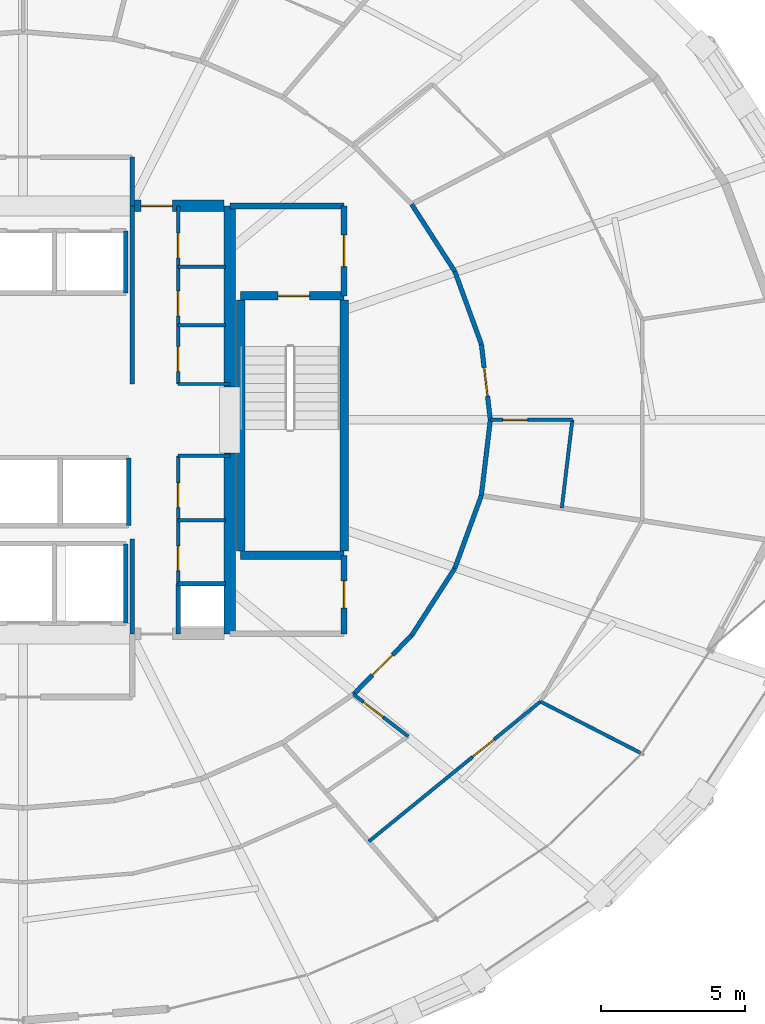
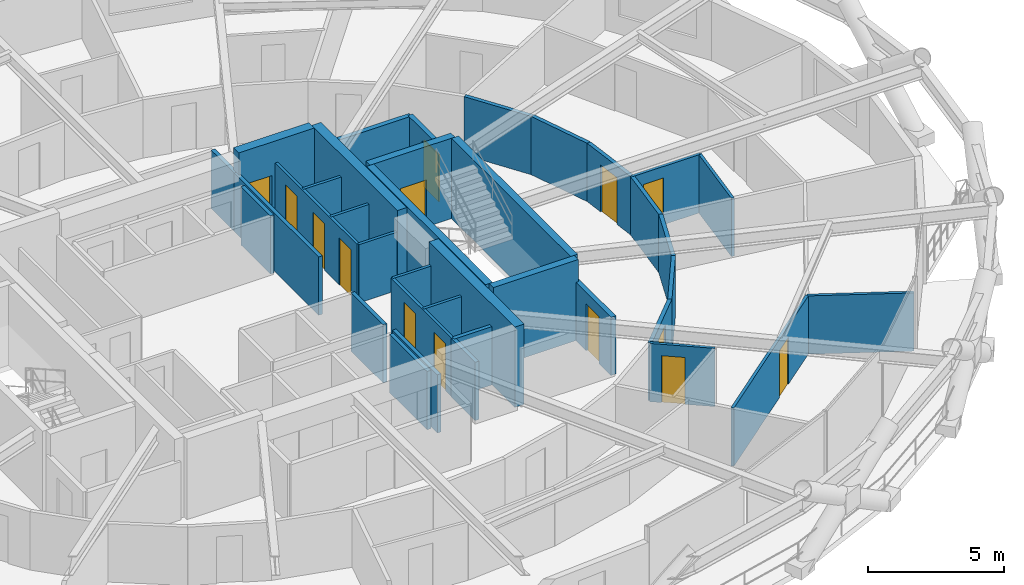
# One storey, part 15 of 19: 37 walls, 14 doors, 14 openings.
"""IFC4 building model written with IfcOpenShell, lengths in metres."""

from ifc_helpers import new_model, si_unit, direction, frame, frame_2d, origin, place, context, subcontext, project, spatial, rectangle, extrude, material, layer, layer_set, type_object, element, fill, save


model = new_model("IFC4")

# Units and contexts
model_context = context("Model", 3, precision=1e-05, world=origin(), true_north=direction((0.0, 1.0)))
body_context = subcontext(model_context, "Body", "Model", "MODEL_VIEW")
ifc_project = project(units=[si_unit("LENGTHUNIT", "METRE"), si_unit("AREAUNIT", "SQUARE_METRE"), si_unit("VOLUMEUNIT", "CUBIC_METRE"), si_unit("PLANEANGLEUNIT", "RADIAN"), si_unit("MASSUNIT", "GRAM", prefix="KILO")], contexts=[model_context])

# Site, building, storey
site_placement = place(None, origin())
site = spatial("IfcSite", under=ifc_project, at=site_placement, CompositionType="ELEMENT")
building_placement = place(site_placement, origin())
building = spatial("IfcBuilding", under=site, at=building_placement, Name="Veldorina Hangang Commons", CompositionType="ELEMENT")
storey_placement = place(building_placement, frame((0.0, 0.0, 52.0)))
storey = spatial("IfcBuildingStorey", under=building, at=storey_placement, Name="L12", CompositionType="ELEMENT", Elevation=52.0)

# Walls
ifc_material_1 = material(Name="Concrete C70/85", Category="concrete")
ifc_layer_1 = layer(ifc_material_1, 0.39990234375)
ifc_layer_set_1 = layer_set([ifc_layer_1], Name="Concrete C70/85")
wall_type_1 = type_object("IfcWallType", Name="CW-RC400-C70", PredefinedType="SHEAR", material=ifc_layer_set_1)
for number, where, z_axis, x_axis, name in (
    (1, (39.199951171875, 16.550048828125, 0.0), (0.0, 0.0, 1.0), (0.0, 1.0, 0.0), "L12 E south core shear wall"),
    (2, (39.199951171875, 25.14990234375, 0.0), (0.0, 0.0, 1.0), (0.0, 1.0, 0.0), "L12 E north core shear wall"),
):
    element("IfcWall", number, at=place(storey_placement, frame(where, z_axis=z_axis, x_axis=x_axis)), inside=storey, type_object=wall_type_1, Name=name, PredefinedType="SHEAR", context=body_context, shape_type="SweptSolid", body=[
        extrude(rectangle(XDim=6.300048828125, YDim=0.39990234375, at=frame_2d((3.14990234375, 0.0))), origin(), (0.0, 0.0, 1.0), 3.60009765625),
    ])

# Wall, opening, door
wall_1_placement = place(storey_placement, frame((35.800048828125, 31.449951171875, 0.0), z_axis=(0.0, 0.0, 1.0), x_axis=(1.0, 0.0, 0.0)))
wall_1 = element("IfcWall", 3, at=wall_1_placement, inside=storey, type_object=wall_type_1, Name="L12 north-east core shear wall", PredefinedType="SHEAR", context=body_context, shape_type="SweptSolid", body=[
    extrude(rectangle(XDim=3.199951171875, YDim=0.39990234375, at=frame_2d((1.60009765625, 0.0))), origin(), (0.0, 0.0, 1.0), 3.60009765625),
])
opening_1_placement = place(wall_1_placement, frame((0.300048828125, 0.0, 0.0)))
opening_1 = element("IfcOpeningElement", 4, at=opening_1_placement, cuts=wall_1, Name="Opening D-08", PredefinedType="OPENING", context=body_context, shape_type="SweptSolid", body=[
    extrude(rectangle(XDim=1.10009765625, YDim=2.10009765625, at=frame_2d((0.550048828125, 1.050048828125))), frame((0.0, 0.2099609375, 0.0), z_axis=(0.0, -1.0, 0.0), x_axis=(1.0, 0.0, 0.0)), (0.0, 0.0, 1.0), 0.419921875),
])
ifc_material_2 = material(Name="Steel Fire-Rated Smoke Seal", Category="steel")
door_type_1 = type_object("IfcDoorType", Name="DR-FIRE-1100", OperationType="SINGLE_SWING_RIGHT", PredefinedType="DOOR", material=ifc_material_2)
door_1_placement = place(opening_1_placement, origin())
door_1 = element("IfcDoor", 5, at=door_1_placement, inside=storey, type_object=door_type_1, Name="L12 central lift lobby north corridor door", OperationType="SINGLE_SWING_LEFT", OverallHeight=2.10009765625, OverallWidth=1.10009765625, PredefinedType="DOOR", context=body_context, shape_type="SweptSolid", body=[
    extrude(rectangle(XDim=1.10009765625, YDim=2.10009765625, at=frame_2d((0.550048828125, 1.050048828125))), frame((0.0, 0.02490234375, 0.0), z_axis=(0.0, -1.0, 0.0), x_axis=(1.0, 0.0, 0.0)), (0.0, 0.0, 1.0), 0.050048828125),
])
fill(opening_1, door_1)

# Walls
ifc_material_3 = material(Name="Concrete C50/60", Category="concrete")
ifc_layer_2 = layer(ifc_material_3, 0.300048828125)
ifc_layer_set_2 = layer_set([ifc_layer_2], Name="Concrete C50/60")
wall_type_2 = type_object("IfcWallType", Name="SW-STAIR-300", PredefinedType="SHEAR", material=ifc_layer_set_2)
for number, where, z_axis, x_axis, name in (
    (6, (43.179931640625, 19.429931640625, 0.0), (0.0, 0.0, 1.0), (0.0, 1.0, 0.0), "L12 ST2 outer stair shear wall"),
    (7, (39.580078125, 19.429931640625, 0.0), (0.0, 0.0, 1.0), (0.0, 1.0, 0.0), "L12 ST2 inner stair shear wall"),
):
    element("IfcWall", number, at=place(storey_placement, frame(where, z_axis=z_axis, x_axis=x_axis)), inside=storey, type_object=wall_type_2, Name=name, PredefinedType="SHEAR", context=body_context, shape_type="SweptSolid", body=[
        extrude(rectangle(XDim=8.739990234375, YDim=0.300048828125, at=frame_2d((4.3701171875, 0.0))), origin(), (0.0, 0.0, 1.0), 3.60009765625),
    ])
wall_2_placement = place(storey_placement, frame((39.580078125, 19.280029296875, 0.0), z_axis=(0.0, 0.0, 1.0), x_axis=(1.0, 0.0, 0.0)))
element("IfcWall", 8, at=wall_2_placement, inside=storey, type_object=wall_type_2, Name="L12 ST2 south stair shear wall", PredefinedType="SHEAR", context=body_context, shape_type="SweptSolid", body=[
    extrude(rectangle(XDim=3.599853515625, YDim=0.300048828125, at=frame_2d((1.7998046875, 0.0))), origin(), (0.0, 0.0, 1.0), 3.60009765625),
])

# Wall, opening, door
wall_3_placement = place(storey_placement, frame((39.580078125, 28.320068359375, 0.0), z_axis=(0.0, 0.0, 1.0), x_axis=(1.0, 0.0, 0.0)))
wall_3 = element("IfcWall", 9, at=wall_3_placement, inside=storey, type_object=wall_type_2, Name="L12 ST2 north stair shear wall", PredefinedType="SHEAR", context=body_context, shape_type="SweptSolid", body=[
    extrude(rectangle(XDim=3.599853515625, YDim=0.300048828125, at=frame_2d((1.7998046875, 0.0))), origin(), (0.0, 0.0, 1.0), 3.60009765625),
])
opening_2_placement = place(wall_3_placement, frame((1.300048828125, 0.0, 0.0)))
opening_2 = element("IfcOpeningElement", 10, at=opening_2_placement, cuts=wall_3, Name="Opening D-08", PredefinedType="OPENING", context=body_context, shape_type="SweptSolid", body=[
    extrude(rectangle(XDim=1.10009765625, YDim=2.10009765625, at=frame_2d((0.550048828125, 1.050048828125))), frame((0.0, 0.16015625, 0.0), z_axis=(0.0, -1.0, 0.0), x_axis=(1.0, 0.0, 0.0)), (0.0, 0.0, 1.0), 0.320068359375),
])
door_2_placement = place(opening_2_placement, origin())
door_2 = element("IfcDoor", 11, at=door_2_placement, inside=storey, type_object=door_type_1, Name="L12 Special Escape Stair ST-2 door", OperationType="SINGLE_SWING_RIGHT", OverallHeight=2.10009765625, OverallWidth=1.10009765625, PredefinedType="DOOR", context=body_context, shape_type="SweptSolid", body=[
    extrude(rectangle(XDim=1.10009765625, YDim=2.10009765625, at=frame_2d((0.550048828125, 1.050048828125))), frame((0.0, 0.02490234375, 0.0), z_axis=(0.0, -1.0, 0.0), x_axis=(1.0, 0.0, 0.0)), (0.0, 0.0, 1.0), 0.050048828125),
])
fill(opening_2, door_2)

# Walls
ifc_material_4 = material(Name="Gypsum Fire-Rated Twin Stud Wall", Category="gypsum")
ifc_layer_3 = layer(ifc_material_4, 0.159912109375)
ifc_layer_set_3 = layer_set([ifc_layer_3], Name="Gypsum Fire-Rated Twin Stud Wall")
wall_type_3 = type_object("IfcWallType", Name="WL-FIRE-160", PredefinedType="SOLIDWALL", material=ifc_layer_set_3)
wall_4_placement = place(storey_placement, frame((35.800048828125, 16.550048828125, 0.0), z_axis=(0.0, 0.0, 1.0), x_axis=(0.0, 1.0, 0.0)))
element("IfcWall", 12, at=wall_4_placement, inside=storey, type_object=wall_type_3, Name="L12 Lift passage SW wall 009", PredefinedType="SOLIDWALL", context=body_context, shape_type="SweptSolid", body=[
    extrude(rectangle(XDim=3.300048828125, YDim=0.159912109375, at=frame_2d((1.64990234375, 0.0))), origin(), (0.0, 0.0, 1.0), 2.610107421875),
])
wall_5_placement = place(storey_placement, frame((37.39990234375, 16.550048828125, 0.0), z_axis=(0.0, 0.0, 1.0), x_axis=(0.0, 1.0, 0.0)))
element("IfcWall", 13, at=wall_5_placement, inside=storey, type_object=wall_type_3, Name="L12 Lift passage SE stub 010", PredefinedType="SOLIDWALL", context=body_context, shape_type="SweptSolid", body=[
    extrude(rectangle(XDim=1.75, YDim=0.159912109375, at=frame_2d((0.875, 0.0))), origin(), (0.0, 0.0, 1.0), 2.610107421875),
])
wall_6_placement = place(storey_placement, frame((35.800048828125, 25.25, 0.0), z_axis=(0.0, 0.0, 1.0), x_axis=(0.0, 1.0, 0.0)))
element("IfcWall", 14, at=wall_6_placement, inside=storey, type_object=wall_type_3, Name="L12 Lift passage NW wall 011", PredefinedType="SOLIDWALL", context=body_context, shape_type="SweptSolid", body=[
    extrude(rectangle(XDim=6.199951171875, YDim=0.159912109375, at=frame_2d((3.10009765625, 0.0))), origin(), (0.0, 0.0, 1.0), 2.610107421875),
])
wall_7_placement = place(storey_placement, frame((35.580078125, 28.419921875, 0.0), z_axis=(0.0, 0.0, 1.0), x_axis=(0.0, 1.0, 0.0)))
element("IfcWall", 15, at=wall_7_placement, inside=storey, type_object=wall_type_3, Name="L12 PL-L3 east shaft wall 020", PredefinedType="SOLIDWALL", context=body_context, shape_type="SweptSolid", body=[
    extrude(rectangle(XDim=2.16015625, YDim=0.159912109375, at=frame_2d((1.080078125, 0.0))), origin(), (0.0, 0.0, 1.0), 2.610107421875),
])
wall_8_placement = place(storey_placement, frame((35.679931640625, 20.320068359375, 0.0), z_axis=(0.0, 0.0, 1.0), x_axis=(0.0, 1.0, 0.0)))
element("IfcWall", 16, at=wall_8_placement, inside=storey, type_object=wall_type_3, Name="L12 SL-2 east shaft wall 025", PredefinedType="SOLIDWALL", context=body_context, shape_type="SweptSolid", body=[
    extrude(rectangle(XDim=2.35986328125, YDim=0.159912109375, at=frame_2d((1.179931640625, 0.0))), origin(), (0.0, 0.0, 1.0), 2.610107421875),
])
wall_9_placement = place(storey_placement, frame((35.580078125, 16.919921875, 0.0), z_axis=(0.0, 0.0, 1.0), x_axis=(0.0, 1.0, 0.0)))
element("IfcWall", 17, at=wall_9_placement, inside=storey, type_object=wall_type_3, Name="L12 EVL-1 east shaft wall 031", PredefinedType="SOLIDWALL", context=body_context, shape_type="SweptSolid", body=[
    extrude(rectangle(XDim=2.760009765625, YDim=0.159912109375, at=frame_2d((1.3798828125, 0.0))), origin(), (0.0, 0.0, 1.0), 2.610107421875),
])
wall_10_placement = place(storey_placement, frame((35.800048828125, 31.449951171875, 0.0), z_axis=(0.0, 0.0, 1.0), x_axis=(0.0, 1.0, 0.0)))
element("IfcWall", 18, at=wall_10_placement, inside=storey, type_object=wall_type_3, Name="L12 North lobby east wall 033", PredefinedType="SOLIDWALL", context=body_context, shape_type="SweptSolid", body=[
    extrude(rectangle(XDim=1.699951171875, YDim=0.159912109375, at=frame_2d((0.85009765625, 0.0))), origin(), (0.0, 0.0, 1.0), 2.610107421875),
])
wall_11_placement = place(storey_placement, frame((37.39990234375, 18.300048828125, 0.0), z_axis=(0.0, 0.0, 1.0), x_axis=(1.0, 0.0, 0.0)))
element("IfcWall", 19, at=wall_11_placement, inside=storey, type_object=wall_type_3, Name="L12 Plumbing riser wall 037", PredefinedType="SOLIDWALL", context=body_context, shape_type="SweptSolid", body=[
    extrude(rectangle(XDim=1.650146484375, YDim=0.159912109375, at=frame_2d((0.8251953125, 0.0))), origin(), (0.0, 0.0, 1.0), 2.610107421875),
])

# Wall, opening, door
wall_12_placement = place(storey_placement, frame((48.27392578125, 24.0, 0.0), z_axis=(0.0, 0.0, 1.0), x_axis=(-0.117763961213, 0.99304161516, 0.0)))
wall_12 = element("IfcWall", 20, at=wall_12_placement, inside=storey, type_object=wall_type_3, Name="L12 Corridor outer wall 00 050", PredefinedType="SOLIDWALL", context=body_context, shape_type="SweptSolid", body=[
    extrude(rectangle(XDim=2.65576171875, YDim=0.159912109375, at=frame_2d((1.327880859375, 0.0))), origin(), (0.0, 0.0, 1.0), 2.610107421875),
])
opening_3_placement = place(wall_12_placement, frame((0.827880859375, 0.0, 0.0)))
opening_3 = element("IfcOpeningElement", 21, at=opening_3_placement, cuts=wall_12, Name="Opening D-06", PredefinedType="OPENING", context=body_context, shape_type="SweptSolid", body=[
    extrude(rectangle(XDim=1.0, YDim=2.10009765625, at=frame_2d((0.5, 1.050048828125))), frame((0.0, 0.08984375, 0.0), z_axis=(0.0, -1.0, 0.0), x_axis=(1.0, 0.0, 0.0)), (0.0, 0.0, 1.0), 0.179931640625),
])
ifc_material_5 = material(Name="Timber Fire-Rated Entrance Core", Category="wood")
door_type_2 = type_object("IfcDoorType", Name="DR-UNIT-1000", OperationType="SINGLE_SWING_LEFT", PredefinedType="DOOR", material=ifc_material_5)
door_3_placement = place(opening_3_placement, origin())
door_3 = element("IfcDoor", 22, at=door_3_placement, inside=storey, type_object=door_type_2, Name="L12 Cluster 3 entrance door 029", OperationType="SINGLE_SWING_LEFT", OverallHeight=2.10009765625, OverallWidth=1.0, PredefinedType="DOOR", context=body_context, shape_type="SweptSolid", body=[
    extrude(rectangle(XDim=1.0, YDim=2.10009765625, at=frame_2d((0.5, 1.050048828125))), frame((0.0, 0.02490234375, 0.0), z_axis=(0.0, -1.0, 0.0), x_axis=(1.0, 0.0, 0.0)), (0.0, 0.0, 1.0), 0.050048828125),
])
fill(opening_3, door_3)

# Walls
wall_13_placement = place(storey_placement, frame((47.961181640625, 26.63720703125, 0.0), z_axis=(0.0, 0.0, 1.0), x_axis=(-0.343013437329, 0.939330496583, 0.0)))
element("IfcWall", 23, at=wall_13_placement, inside=storey, type_object=wall_type_3, Name="L12 Corridor outer wall 01 051", PredefinedType="SOLIDWALL", context=body_context, shape_type="SweptSolid", body=[
    extrude(rectangle(XDim=2.69970703125, YDim=0.159912109375, at=frame_2d((1.349853515625, 0.0))), origin(), (0.0, 0.0, 1.0), 2.610107421875),
])
wall_14_placement = place(storey_placement, frame((47.03515625, 29.173095703125, 0.0), z_axis=(0.0, 0.0, 1.0), x_axis=(-0.541126045017, 0.840941498206, 0.0)))
element("IfcWall", 24, at=wall_14_placement, inside=storey, type_object=wall_type_3, Name="L12 Corridor outer wall 02 052", PredefinedType="SOLIDWALL", context=body_context, shape_type="SweptSolid", body=[
    extrude(rectangle(XDim=2.779296875, YDim=0.159912109375, at=frame_2d((1.3896484375, 0.0))), origin(), (0.0, 0.0, 1.0), 2.610107421875),
])

# Wall, opening, door
wall_15_placement = place(storey_placement, frame((43.507568359375, 14.44140625, 0.0), z_axis=(0.0, 0.0, 1.0), x_axis=(0.702811997, 0.711375636969, 0.0)))
wall_15 = element("IfcWall", 25, at=wall_15_placement, inside=storey, type_object=wall_type_3, Name="L12 Corridor outer wall 28 078", PredefinedType="SOLIDWALL", context=body_context, shape_type="SweptSolid", body=[
    extrude(rectangle(XDim=2.87939453125, YDim=0.159912109375, at=frame_2d((1.439697265625, 0.0))), origin(), (0.0, 0.0, 1.0), 2.610107421875),
])
opening_4_placement = place(wall_15_placement, frame((0.939697265625, 0.0, 0.0)))
opening_4 = element("IfcOpeningElement", 26, at=opening_4_placement, cuts=wall_15, Name="Opening D-06", PredefinedType="OPENING", context=body_context, shape_type="SweptSolid", body=[
    extrude(rectangle(XDim=1.0, YDim=2.10009765625, at=frame_2d((0.5, 1.050048828125))), frame((0.0, 0.08984375, 0.0), z_axis=(0.0, -1.0, 0.0), x_axis=(1.0, 0.0, 0.0)), (0.0, 0.0, 1.0), 0.179931640625),
])
door_4_placement = place(opening_4_placement, origin())
door_4 = element("IfcDoor", 27, at=door_4_placement, inside=storey, type_object=door_type_2, Name="L12 Cluster 2 entrance door 025", OperationType="SINGLE_SWING_LEFT", OverallHeight=2.10009765625, OverallWidth=1.0, PredefinedType="DOOR", context=body_context, shape_type="SweptSolid", body=[
    extrude(rectangle(XDim=1.0, YDim=2.10009765625, at=frame_2d((0.5, 1.050048828125))), frame((0.0, 0.02490234375, 0.0), z_axis=(0.0, -1.0, 0.0), x_axis=(1.0, 0.0, 0.0)), (0.0, 0.0, 1.0), 0.050048828125),
])
fill(opening_4, door_4)

# Walls
wall_16_placement = place(storey_placement, frame((45.53125, 16.48974609375, 0.0), z_axis=(0.0, 0.0, 1.0), x_axis=(0.541126045017, 0.840941498206, 0.0)))
element("IfcWall", 28, at=wall_16_placement, inside=storey, type_object=wall_type_3, Name="L12 Corridor outer wall 29 079", PredefinedType="SOLIDWALL", context=body_context, shape_type="SweptSolid", body=[
    extrude(rectangle(XDim=2.779296875, YDim=0.159912109375, at=frame_2d((1.3896484375, 0.0))), origin(), (0.0, 0.0, 1.0), 2.610107421875),
])
wall_17_placement = place(storey_placement, frame((47.03515625, 18.826904296875, 0.0), z_axis=(0.0, 0.0, 1.0), x_axis=(0.343013437329, 0.939330496583, 0.0)))
element("IfcWall", 29, at=wall_17_placement, inside=storey, type_object=wall_type_3, Name="L12 Corridor outer wall 30 080", PredefinedType="SOLIDWALL", context=body_context, shape_type="SweptSolid", body=[
    extrude(rectangle(XDim=2.69970703125, YDim=0.159912109375, at=frame_2d((1.349853515625, 0.0))), origin(), (0.0, 0.0, 1.0), 2.610107421875),
])
wall_18_placement = place(storey_placement, frame((47.961181640625, 21.36279296875, 0.0), z_axis=(0.0, 0.0, 1.0), x_axis=(0.117763961213, 0.99304161516, 0.0)))
element("IfcWall", 30, at=wall_18_placement, inside=storey, type_object=wall_type_3, Name="L12 Corridor outer wall 31 081", PredefinedType="SOLIDWALL", context=body_context, shape_type="SweptSolid", body=[
    extrude(rectangle(XDim=2.65576171875, YDim=0.159912109375, at=frame_2d((1.327880859375, 0.0))), origin(), (0.0, 0.0, 1.0), 2.610107421875),
])

# Wall, opening, door
ifc_material_6 = material(Name="Concrete Blockwork Fire Wall C30/37", Category="masonry")
ifc_layer_4 = layer(ifc_material_6, 0.199951171875)
ifc_layer_set_4 = layer_set([ifc_layer_4], Name="Concrete Blockwork Fire Wall C30/37")
wall_type_4 = type_object("IfcWallType", Name="WL-FIRE-200", PredefinedType="SOLIDWALL", material=ifc_layer_set_4)
wall_19_placement = place(storey_placement, frame((43.179931640625, 28.320068359375, 0.0), z_axis=(0.0, 0.0, 1.0), x_axis=(0.0, 1.0, 0.0)))
wall_19 = element("IfcWall", 31, at=wall_19_placement, inside=storey, type_object=wall_type_4, Name="L12 East vestibule outer wall 003", PredefinedType="SOLIDWALL", context=body_context, shape_type="SweptSolid", body=[
    extrude(rectangle(XDim=3.1298828125, YDim=0.199951171875, at=frame_2d((1.56494140625, 0.0))), origin(), (0.0, 0.0, 1.0), 2.610107421875),
])
opening_5_placement = place(wall_19_placement, frame((1.014892578125, 0.0, 0.0)))
opening_5 = element("IfcOpeningElement", 32, at=opening_5_placement, cuts=wall_19, Name="Opening D-08", PredefinedType="OPENING", context=body_context, shape_type="SweptSolid", body=[
    extrude(rectangle(XDim=1.10009765625, YDim=2.10009765625, at=frame_2d((0.550048828125, 1.050048828125))), frame((0.0, 0.10986328125, 0.0), z_axis=(0.0, -1.0, 0.0), x_axis=(1.0, 0.0, 0.0)), (0.0, 0.0, 1.0), 0.219970703125),
])
door_5_placement = place(opening_5_placement, origin())
door_5 = element("IfcDoor", 33, at=door_5_placement, inside=storey, type_object=door_type_1, Name="L12 East vestibule east door 002", OperationType="SINGLE_SWING_RIGHT", OverallHeight=2.10009765625, OverallWidth=1.10009765625, PredefinedType="DOOR", context=body_context, shape_type="SweptSolid", body=[
    extrude(rectangle(XDim=1.10009765625, YDim=2.10009765625, at=frame_2d((0.550048828125, 1.050048828125))), frame((0.0, 0.02490234375, 0.0), z_axis=(0.0, -1.0, 0.0), x_axis=(1.0, 0.0, 0.0)), (0.0, 0.0, 1.0), 0.050048828125),
])
fill(opening_5, door_5)

# Wall
wall_20_placement = place(storey_placement, frame((39.199951171875, 31.449951171875, 0.0), z_axis=(0.0, 0.0, 1.0), x_axis=(1.0, 0.0, 0.0)))
element("IfcWall", 34, at=wall_20_placement, inside=storey, type_object=wall_type_4, Name="L12 East vestibule north wall 004", PredefinedType="SOLIDWALL", context=body_context, shape_type="SweptSolid", body=[
    extrude(rectangle(XDim=3.97998046875, YDim=0.199951171875, at=frame_2d((1.989990234375, 0.0))), origin(), (0.0, 0.0, 1.0), 2.610107421875),
])

# Wall, opening, door
wall_21_placement = place(storey_placement, frame((43.179931640625, 16.550048828125, 0.0), z_axis=(0.0, 0.0, 1.0), x_axis=(0.0, 1.0, 0.0)))
wall_21 = element("IfcWall", 35, at=wall_21_placement, inside=storey, type_object=wall_type_4, Name="L12 SE core room outer wall 007", PredefinedType="SOLIDWALL", context=body_context, shape_type="SweptSolid", body=[
    extrude(rectangle(XDim=2.72998046875, YDim=0.199951171875, at=frame_2d((1.364990234375, 0.0))), origin(), (0.0, 0.0, 1.0), 2.610107421875),
])
opening_6_placement = place(wall_21_placement, frame((0.889892578125, 0.0, 0.0)))
opening_6 = element("IfcOpeningElement", 36, at=opening_6_placement, cuts=wall_21, Name="Opening D-02", PredefinedType="OPENING", context=body_context, shape_type="SweptSolid", body=[
    extrude(rectangle(XDim=0.949951171875, YDim=2.10009765625, at=frame_2d((0.47509765625, 1.050048828125))), frame((0.0, 0.10986328125, 0.0), z_axis=(0.0, -1.0, 0.0), x_axis=(1.0, 0.0, 0.0)), (0.0, 0.0, 1.0), 0.219970703125),
])
ifc_material_7 = material(Name="Timber Solid Core Acoustic", Category="wood")
door_type_3 = type_object("IfcDoorType", Name="DR-INT-950", OperationType="SINGLE_SWING_LEFT", PredefinedType="DOOR", material=ifc_material_7)
door_6_placement = place(opening_6_placement, origin())
door_6 = element("IfcDoor", 37, at=door_6_placement, inside=storey, type_object=door_type_3, Name="L12 SE core WC door 004", OperationType="SINGLE_SWING_RIGHT", OverallHeight=2.10009765625, OverallWidth=0.949951171875, PredefinedType="DOOR", context=body_context, shape_type="SweptSolid", body=[
    extrude(rectangle(XDim=0.949951171875, YDim=2.10009765625, at=frame_2d((0.47509765625, 1.050048828125))), frame((0.0, 0.02490234375, 0.0), z_axis=(0.0, -1.0, 0.0), x_axis=(1.0, 0.0, 0.0)), (0.0, 0.0, 1.0), 0.050048828125),
])
fill(opening_6, door_6)

# Wall, openings, doors
ifc_material_8 = material(Name="Gypsum Acoustic Stud Partition", Category="gypsum")
ifc_layer_5 = layer(ifc_material_8, 0.1201171875)
ifc_layer_set_5 = layer_set([ifc_layer_5], Name="Gypsum Acoustic Stud Partition")
wall_type_5 = type_object("IfcWallType", Name="WL-PART-120", PredefinedType="PARTITIONING", material=ifc_layer_set_5)
wall_22_placement = place(storey_placement, frame((37.39990234375, 25.25, 0.0), z_axis=(0.0, 0.0, 1.0), x_axis=(0.0, 1.0, 0.0)))
wall_22 = element("IfcWall", 38, at=wall_22_placement, inside=storey, type_object=wall_type_5, Name="L12 NE strip lobby wall 041", PredefinedType="PARTITIONING", context=body_context, shape_type="SweptSolid", body=[
    extrude(rectangle(XDim=6.199951171875, YDim=0.1201171875, at=frame_2d((3.10009765625, 0.0))), origin(), (0.0, 0.0, 1.0), 2.610107421875),
])
opening_7_placement = place(wall_22_placement, frame((0.43994140625, 0.0, 0.0)))
opening_7 = element("IfcOpeningElement", 39, at=opening_7_placement, cuts=wall_22, Name="Opening D-01", PredefinedType="OPENING", context=body_context, shape_type="SweptSolid", body=[
    extrude(rectangle(XDim=0.860107421875, YDim=2.10009765625, at=frame_2d((0.43017578125, 1.050048828125))), frame((0.0, 0.070068359375, 0.0), z_axis=(0.0, -1.0, 0.0), x_axis=(1.0, 0.0, 0.0)), (0.0, 0.0, 1.0), 0.14013671875),
])
opening_8_placement = place(wall_22_placement, frame((2.3701171875, 0.0, 0.0)))
opening_8 = element("IfcOpeningElement", 40, at=opening_8_placement, cuts=wall_22, Name="Opening D-01", PredefinedType="OPENING", context=body_context, shape_type="SweptSolid", body=[
    extrude(rectangle(XDim=0.860107421875, YDim=2.10009765625, at=frame_2d((0.43017578125, 1.050048828125))), frame((0.0, 0.070068359375, 0.0), z_axis=(0.0, -1.0, 0.0), x_axis=(1.0, 0.0, 0.0)), (0.0, 0.0, 1.0), 0.14013671875),
])
opening_9_placement = place(wall_22_placement, frame((4.389892578125, 0.0, 0.0)))
opening_9 = element("IfcOpeningElement", 41, at=opening_9_placement, cuts=wall_22, Name="Opening D-01", PredefinedType="OPENING", context=body_context, shape_type="SweptSolid", body=[
    extrude(rectangle(XDim=0.860107421875, YDim=2.10009765625, at=frame_2d((0.43017578125, 1.050048828125))), frame((0.0, 0.070068359375, 0.0), z_axis=(0.0, -1.0, 0.0), x_axis=(1.0, 0.0, 0.0)), (0.0, 0.0, 1.0), 0.14013671875),
])
ifc_material_9 = material(Name="Timber Moisture-Resistant Core", Category="wood")
door_type_4 = type_object("IfcDoorType", Name="DR-WET-860", OperationType="SINGLE_SWING_LEFT", PredefinedType="DOOR", material=ifc_material_9)
door_7_placement = place(opening_7_placement, origin())
door_7 = element("IfcDoor", 42, at=door_7_placement, inside=storey, type_object=door_type_4, Name="L12 Fiber Riser Closet door 017", OperationType="SINGLE_SWING_LEFT", OverallHeight=2.10009765625, OverallWidth=0.860107421875, PredefinedType="DOOR", context=body_context, shape_type="SweptSolid", body=[
    extrude(rectangle(XDim=0.860107421875, YDim=2.10009765625, at=frame_2d((0.43017578125, 1.050048828125))), frame((0.0, 0.02490234375, 0.0), z_axis=(0.0, -1.0, 0.0), x_axis=(1.0, 0.0, 0.0)), (0.0, 0.0, 1.0), 0.050048828125),
])
fill(opening_7, door_7)
door_8_placement = place(opening_8_placement, origin())
door_8 = element("IfcDoor", 43, at=door_8_placement, inside=storey, type_object=door_type_4, Name="L12 AV Rack Closet door 018", OperationType="SINGLE_SWING_RIGHT", OverallHeight=2.10009765625, OverallWidth=0.860107421875, PredefinedType="DOOR", context=body_context, shape_type="SweptSolid", body=[
    extrude(rectangle(XDim=0.860107421875, YDim=2.10009765625, at=frame_2d((0.43017578125, 1.050048828125))), frame((0.0, 0.02490234375, 0.0), z_axis=(0.0, -1.0, 0.0), x_axis=(1.0, 0.0, 0.0)), (0.0, 0.0, 1.0), 0.050048828125),
])
fill(opening_8, door_8)
door_9_placement = place(opening_9_placement, origin())
door_9 = element("IfcDoor", 44, at=door_9_placement, inside=storey, type_object=door_type_4, Name="L12 Supply Closet door 019", OperationType="SINGLE_SWING_LEFT", OverallHeight=2.10009765625, OverallWidth=0.860107421875, PredefinedType="DOOR", context=body_context, shape_type="SweptSolid", body=[
    extrude(rectangle(XDim=0.860107421875, YDim=2.10009765625, at=frame_2d((0.43017578125, 1.050048828125))), frame((0.0, 0.02490234375, 0.0), z_axis=(0.0, -1.0, 0.0), x_axis=(1.0, 0.0, 0.0)), (0.0, 0.0, 1.0), 0.050048828125),
])
fill(opening_9, door_9)

# Wall
wall_23_placement = place(storey_placement, frame((37.39990234375, 25.25, 0.0), z_axis=(0.0, 0.0, 1.0), x_axis=(1.0, 0.0, 0.0)))
element("IfcWall", 45, at=wall_23_placement, inside=storey, type_object=wall_type_5, Name="L12 NE strip south return wall 042", PredefinedType="PARTITIONING", context=body_context, shape_type="SweptSolid", body=[
    extrude(rectangle(XDim=1.800048828125, YDim=0.1201171875, at=frame_2d((0.89990234375, 0.0))), origin(), (0.0, 0.0, 1.0), 2.610107421875),
])

# Wall, openings, doors
wall_24_placement = place(storey_placement, frame((37.39990234375, 18.300048828125, 0.0), z_axis=(0.0, 0.0, 1.0), x_axis=(0.0, 1.0, 0.0)))
wall_24 = element("IfcWall", 46, at=wall_24_placement, inside=storey, type_object=wall_type_5, Name="L12 SE strip lobby wall 043", PredefinedType="PARTITIONING", context=body_context, shape_type="SweptSolid", body=[
    extrude(rectangle(XDim=4.449951171875, YDim=0.1201171875, at=frame_2d((2.22509765625, 0.0))), origin(), (0.0, 0.0, 1.0), 2.610107421875),
])
opening_10_placement = place(wall_24_placement, frame((0.449951171875, 0.0, 0.0)))
opening_10 = element("IfcOpeningElement", 47, at=opening_10_placement, cuts=wall_24, Name="Opening D-01", PredefinedType="OPENING", context=body_context, shape_type="SweptSolid", body=[
    extrude(rectangle(XDim=0.860107421875, YDim=2.10009765625, at=frame_2d((0.43017578125, 1.050048828125))), frame((0.0, 0.070068359375, 0.0), z_axis=(0.0, -1.0, 0.0), x_axis=(1.0, 0.0, 0.0)), (0.0, 0.0, 1.0), 0.14013671875),
])
opening_11_placement = place(wall_24_placement, frame((2.64990234375, 0.0, 0.0)))
opening_11 = element("IfcOpeningElement", 48, at=opening_11_placement, cuts=wall_24, Name="Opening D-01", PredefinedType="OPENING", context=body_context, shape_type="SweptSolid", body=[
    extrude(rectangle(XDim=0.860107421875, YDim=2.10009765625, at=frame_2d((0.43017578125, 1.050048828125))), frame((0.0, 0.070068359375, 0.0), z_axis=(0.0, -1.0, 0.0), x_axis=(1.0, 0.0, 0.0)), (0.0, 0.0, 1.0), 0.14013671875),
])
door_10_placement = place(opening_10_placement, origin())
door_10 = element("IfcDoor", 49, at=door_10_placement, inside=storey, type_object=door_type_4, Name="L12 Janitor sink door 020", OperationType="SINGLE_SWING_RIGHT", OverallHeight=2.10009765625, OverallWidth=0.860107421875, PredefinedType="DOOR", context=body_context, shape_type="SweptSolid", body=[
    extrude(rectangle(XDim=0.860107421875, YDim=2.10009765625, at=frame_2d((0.43017578125, 1.050048828125))), frame((0.0, 0.02490234375, 0.0), z_axis=(0.0, -1.0, 0.0), x_axis=(1.0, 0.0, 0.0)), (0.0, 0.0, 1.0), 0.050048828125),
])
fill(opening_10, door_10)
door_11_placement = place(opening_11_placement, origin())
door_11 = element("IfcDoor", 50, at=door_11_placement, inside=storey, type_object=door_type_4, Name="L12 Fire panel door 021", OperationType="SINGLE_SWING_LEFT", OverallHeight=2.10009765625, OverallWidth=0.860107421875, PredefinedType="DOOR", context=body_context, shape_type="SweptSolid", body=[
    extrude(rectangle(XDim=0.860107421875, YDim=2.10009765625, at=frame_2d((0.43017578125, 1.050048828125))), frame((0.0, 0.02490234375, 0.0), z_axis=(0.0, -1.0, 0.0), x_axis=(1.0, 0.0, 0.0)), (0.0, 0.0, 1.0), 0.050048828125),
])
fill(opening_11, door_11)

# Walls
wall_25_placement = place(storey_placement, frame((37.39990234375, 22.75, 0.0), z_axis=(0.0, 0.0, 1.0), x_axis=(1.0, 0.0, 0.0)))
element("IfcWall", 51, at=wall_25_placement, inside=storey, type_object=wall_type_5, Name="L12 SE strip north return wall 044", PredefinedType="PARTITIONING", context=body_context, shape_type="SweptSolid", body=[
    extrude(rectangle(XDim=1.800048828125, YDim=0.1201171875, at=frame_2d((0.89990234375, 0.0))), origin(), (0.0, 0.0, 1.0), 2.610107421875),
])
for number, where, z_axis, x_axis, name in (
    (52, (37.39990234375, 27.300048828125, 0.0), (0.0, 0.0, 1.0), (1.0, 0.0, 0.0), "L12 NE split 1 047"),
    (53, (37.39990234375, 29.330078125, 0.0), (0.0, 0.0, 1.0), (1.0, 0.0, 0.0), "L12 NE split 2 048"),
    (54, (37.39990234375, 20.5, 0.0), (0.0, 0.0, 1.0), (1.0, 0.0, 0.0), "L12 SE horizontal split 049"),
):
    element("IfcWall", number, at=place(storey_placement, frame(where, z_axis=z_axis, x_axis=x_axis)), inside=storey, type_object=wall_type_5, Name=name, PredefinedType="PARTITIONING", context=body_context, shape_type="SweptSolid", body=[
        extrude(rectangle(XDim=1.650146484375, YDim=0.1201171875, at=frame_2d((0.8251953125, 0.0))), origin(), (0.0, 0.0, 1.0), 2.610107421875),
    ])

# Wall, opening, door
wall_26_placement = place(storey_placement, frame((43.507568359375, 14.44140625, 0.0), z_axis=(0.0, 0.0, 1.0), x_axis=(0.793351497124, -0.608763831063, 0.0)))
wall_26 = element("IfcWall", 55, at=wall_26_placement, inside=storey, type_object=wall_type_5, Name="L12 Cluster 2 bath side wall 089", PredefinedType="PARTITIONING", context=body_context, shape_type="SweptSolid", body=[
    extrude(rectangle(XDim=2.40576171875, YDim=0.1201171875, at=frame_2d((1.202880859375, 0.0))), origin(), (0.0, 0.0, 1.0), 2.610107421875),
])
opening_12_placement = place(wall_26_placement, frame((0.43994140625, 0.0, 0.0)))
opening_12 = element("IfcOpeningElement", 56, at=opening_12_placement, cuts=wall_26, Name="Opening D-01", PredefinedType="OPENING", context=body_context, shape_type="SweptSolid", body=[
    extrude(rectangle(XDim=0.860107421875, YDim=2.10009765625, at=frame_2d((0.43017578125, 1.050048828125))), frame((0.0, 0.070068359375, 0.0), z_axis=(0.0, -1.0, 0.0), x_axis=(1.0, 0.0, 0.0)), (0.0, 0.0, 1.0), 0.14013671875),
])
door_12_placement = place(opening_12_placement, origin())
door_12 = element("IfcDoor", 57, at=door_12_placement, inside=storey, type_object=door_type_4, Name="L12 Cluster 2 shared bathroom door 024", OperationType="SINGLE_SWING_RIGHT", OverallHeight=2.10009765625, OverallWidth=0.860107421875, PredefinedType="DOOR", context=body_context, shape_type="SweptSolid", body=[
    extrude(rectangle(XDim=0.860107421875, YDim=2.10009765625, at=frame_2d((0.43017578125, 1.050048828125))), frame((0.0, 0.02490234375, 0.0), z_axis=(0.0, -1.0, 0.0), x_axis=(1.0, 0.0, 0.0)), (0.0, 0.0, 1.0), 0.050048828125),
])
fill(opening_12, door_12)

wall_27_placement = place(storey_placement, frame((44.041015625, 9.31591796875, 0.0), z_axis=(0.0, 0.0, 1.0), x_axis=(0.775210874422, 0.631702540899, 0.0)))
wall_27 = element("IfcWall", 58, at=wall_27_placement, inside=storey, type_object=wall_type_5, Name="L12 Cluster 2 bed 1 front wall 090", PredefinedType="PARTITIONING", context=body_context, shape_type="SweptSolid", body=[
    extrude(rectangle(XDim=7.71337890625, YDim=0.1201171875, at=frame_2d((3.856689453125, 0.0))), origin(), (0.0, 0.0, 1.0), 2.610107421875),
])
opening_13_placement = place(wall_27_placement, frame((4.676025390625, 0.0, 0.0)))
opening_13 = element("IfcOpeningElement", 59, at=opening_13_placement, cuts=wall_27, Name="Opening D-02", PredefinedType="OPENING", context=body_context, shape_type="SweptSolid", body=[
    extrude(rectangle(XDim=0.949951171875, YDim=2.10009765625, at=frame_2d((0.47509765625, 1.050048828125))), frame((0.0, 0.070068359375, 0.0), z_axis=(0.0, -1.0, 0.0), x_axis=(1.0, 0.0, 0.0)), (0.0, 0.0, 1.0), 0.14013671875),
])
door_13_placement = place(opening_13_placement, origin())
door_13 = element("IfcDoor", 60, at=door_13_placement, inside=storey, type_object=door_type_3, Name="L12 Cluster 2 bed 1 door 026", OperationType="SINGLE_SWING_RIGHT", OverallHeight=2.10009765625, OverallWidth=0.949951171875, PredefinedType="DOOR", context=body_context, shape_type="SweptSolid", body=[
    extrude(rectangle(XDim=0.949951171875, YDim=2.10009765625, at=frame_2d((0.47509765625, 1.050048828125))), frame((0.0, 0.02490234375, 0.0), z_axis=(0.0, -1.0, 0.0), x_axis=(1.0, 0.0, 0.0)), (0.0, 0.0, 1.0), 0.050048828125),
])
fill(opening_13, door_13)

# Walls
wall_28_placement = place(storey_placement, frame((50.0205078125, 14.1884765625, 0.0), z_axis=(0.0, 0.0, 1.0), x_axis=(0.889852530741, -0.456248258664, 0.0)))
element("IfcWall", 61, at=wall_28_placement, inside=storey, type_object=wall_type_5, Name="L12 Cluster 2 bed divider 1 092", PredefinedType="PARTITIONING", context=body_context, shape_type="SweptSolid", body=[
    extrude(rectangle(XDim=3.913818359375, YDim=0.1201171875, at=frame_2d((1.95703125, 0.0))), origin(), (0.0, 0.0, 1.0), 2.610107421875),
])
wall_29_placement = place(storey_placement, frame((50.7626953125, 20.927978515625, 0.0), z_axis=(0.0, 0.0, 1.0), x_axis=(0.118837170514, 0.992913756025, 0.0)))
element("IfcWall", 62, at=wall_29_placement, inside=storey, type_object=wall_type_5, Name="L12 Cluster 3 bath front wall 094", PredefinedType="PARTITIONING", context=body_context, shape_type="SweptSolid", body=[
    extrude(rectangle(XDim=3.093994140625, YDim=0.1201171875, at=frame_2d((1.546875, 0.0))), origin(), (0.0, 0.0, 1.0), 2.610107421875),
])

# Wall, opening, door
wall_30_placement = place(storey_placement, frame((48.27392578125, 24.0, 0.0), z_axis=(0.0, 0.0, 1.0), x_axis=(1.0, 0.0, 0.0)))
wall_30 = element("IfcWall", 63, at=wall_30_placement, inside=storey, type_object=wall_type_5, Name="L12 Cluster 3 bath side wall 095", PredefinedType="PARTITIONING", context=body_context, shape_type="SweptSolid", body=[
    extrude(rectangle(XDim=2.8564453125, YDim=0.1201171875, at=frame_2d((1.42822265625, 0.0))), origin(), (0.0, 0.0, 1.0), 2.610107421875),
])
opening_14_placement = place(wall_30_placement, frame((0.43994140625, 0.0, 0.0)))
opening_14 = element("IfcOpeningElement", 64, at=opening_14_placement, cuts=wall_30, Name="Opening D-01", PredefinedType="OPENING", context=body_context, shape_type="SweptSolid", body=[
    extrude(rectangle(XDim=0.860107421875, YDim=2.10009765625, at=frame_2d((0.43017578125, 1.050048828125))), frame((0.0, 0.070068359375, 0.0), z_axis=(0.0, -1.0, 0.0), x_axis=(1.0, 0.0, 0.0)), (0.0, 0.0, 1.0), 0.14013671875),
])
door_14_placement = place(opening_14_placement, origin())
door_14 = element("IfcDoor", 65, at=door_14_placement, inside=storey, type_object=door_type_4, Name="L12 Cluster 3 shared bathroom door 028", OperationType="SINGLE_SWING_RIGHT", OverallHeight=2.10009765625, OverallWidth=0.860107421875, PredefinedType="DOOR", context=body_context, shape_type="SweptSolid", body=[
    extrude(rectangle(XDim=0.860107421875, YDim=2.10009765625, at=frame_2d((0.43017578125, 1.050048828125))), frame((0.0, 0.02490234375, 0.0), z_axis=(0.0, -1.0, 0.0), x_axis=(1.0, 0.0, 0.0)), (0.0, 0.0, 1.0), 0.050048828125),
])
fill(opening_14, door_14)

save(model, "model.ifc")
